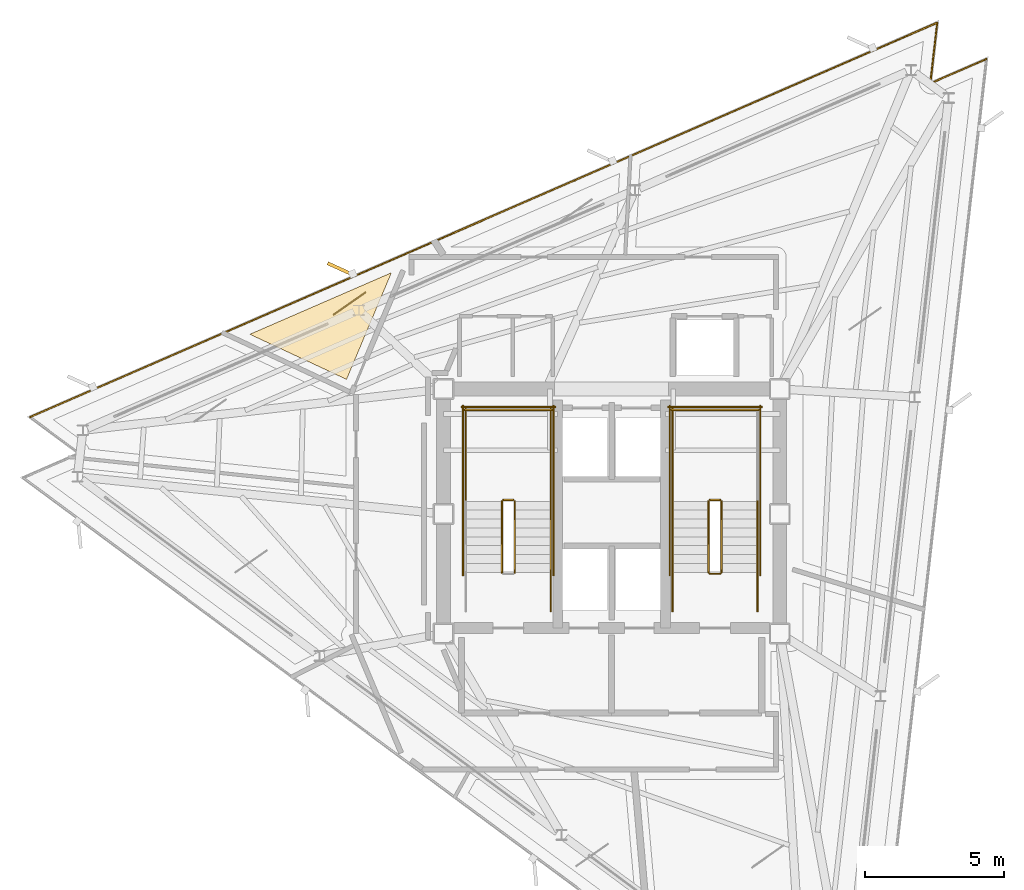
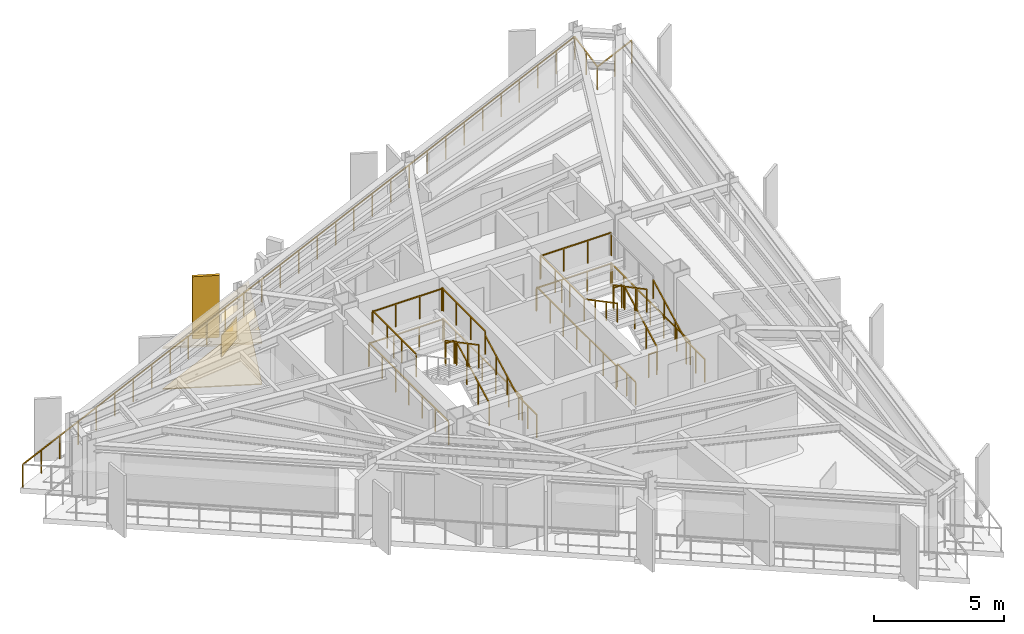
# One storey, part 9 of 10: 25 railings, 3 coverings, 1 shading device.
"""IFC4 building model written with IfcOpenShell, lengths in metres."""

from ifc_helpers import new_model, si_unit, direction, frame, origin, origin_2d, place, context, subcontext, project, spatial, polyline, rectangle, outline, extrude, material, layer, layer_set, type_object, element, save


model = new_model("IFC4")

# Units and contexts
model_context = context("Model", 3, precision=1e-05, world=origin(), true_north=direction((0.0, 1.0)))
body_context = subcontext(model_context, "Body", "Model", "MODEL_VIEW")
ifc_project = project(units=[si_unit("LENGTHUNIT", "METRE"), si_unit("AREAUNIT", "SQUARE_METRE"), si_unit("VOLUMEUNIT", "CUBIC_METRE"), si_unit("PLANEANGLEUNIT", "RADIAN"), si_unit("MASSUNIT", "GRAM", prefix="KILO")], contexts=[model_context])

# Site, building, storey
site_placement = place(None, origin())
site = spatial("IfcSite", under=ifc_project, at=site_placement, CompositionType="ELEMENT")
building_placement = place(site_placement, origin())
building = spatial("IfcBuilding", under=site, at=building_placement, Name="Rocaltana Carrier Exchange", CompositionType="ELEMENT")
storey_placement = place(building_placement, frame((0.0, 0.0, 224.0)))
storey = spatial("IfcBuildingStorey", under=building, at=storey_placement, Name="L71", CompositionType="ELEMENT", Elevation=224.0)

# Coverings
ifc_material_1 = material(Name="Honed Bogota Sandstone Tile", Category="masonry")
ifc_layer_1 = layer(ifc_material_1, 0.0400390625)
ifc_layer_set_1 = layer_set([ifc_layer_1], Name="Honed Bogota Sandstone Tile")
covering_type_1 = type_object("IfcCoveringType", Name="Honed Stone Lobby Flooring 40", PredefinedType="FLOORING", material=ifc_layer_set_1)
covering_1_placement = place(storey_placement, origin())
element("IfcCovering", 1, at=covering_1_placement, inside=storey, type_object=covering_type_1, Name="L71 Optical Switching Laboratory Finish Floor", PredefinedType="FLOORING", context=body_context, shape_type="SweptSolid", body=[
    extrude(outline(polyline([(-7.927490234375, 8.683837890625), (-9.541015625, 4.84619140625), (-13.021240234375, 6.468994140625), (-7.927490234375, 8.683837890625)])), origin(), (0.0, 0.0, 1.0), 0.0400390625),
])
ifc_material_2 = material(Name="Anodised Aluminium 6063-T6", Category="aluminium")
ifc_layer_2 = layer(ifc_material_2, 0.0849609375)
ifc_layer_set_2 = layer_set([ifc_layer_2], Name="Anodised Aluminium 6063-T6")
covering_type_2 = type_object("IfcCoveringType", Name="Linear Baffle Acoustic Ceiling 85", PredefinedType="CEILING", material=ifc_layer_set_2)
covering_2_placement = place(storey_placement, frame((0.0, 0.0, 1.903076171875)))
element("IfcCovering", 2, at=covering_2_placement, inside=storey, type_object=covering_type_2, Name="L71 Optical Switching Laboratory Acoustic Ceiling", PredefinedType="CEILING", context=body_context, shape_type="SweptSolid", body=[
    extrude(outline(polyline([(-7.927490234375, 8.683837890625), (-9.541015625, 4.84619140625), (-13.021240234375, 6.468994140625), (-7.927490234375, 8.683837890625)])), origin(), (0.0, 0.0, 1.0), 0.0849609375),
])

# Railings
ifc_material_3 = material(Name="Brushed Architectural Stainless Tube", Category="steel")
ifc_layer_3 = layer(ifc_material_3, 0.048095703125)
ifc_layer_set_3 = layer_set([ifc_layer_3], Name="Brushed Architectural Stainless Tube")
railing_type_1 = type_object("IfcRailingType", Name="Stair Wall Handrail 920", PredefinedType="HANDRAIL", material=ifc_layer_set_3)
for number, where, name in (
    (3, (-2.18994140625, -2.10009765625, 0.1689453125), "L71 ST-1 stair handrail 1"),
    (4, (5.25, -2.10009765625, 0.1689453125), "L71 ST-2 stair handrail 1"),
):
    element("IfcRailing", number, at=place(storey_placement, frame(where)), inside=storey, type_object=railing_type_1, Name=name, PredefinedType="HANDRAIL", context=body_context, shape_type="SweptSolid", body=[
        extrude(rectangle(XDim=0.048095703125, YDim=0.048095703125, at=origin_2d()), frame((0.0, 0.0, 0.8759765625), z_axis=(0.0, 0.884394423565, 0.466740295633), x_axis=(-1.0, 0.0, 0.0)), (0.0, 0.0, 1.0), 2.894775390625),
        extrude(rectangle(XDim=0.0419921875, YDim=0.0419921875, at=origin_2d()), origin(), (0.0, 0.0, 1.0), 0.851806640625),
        extrude(rectangle(XDim=0.0419921875, YDim=0.0419921875, at=origin_2d()), frame((0.0, 0.853271484375, 0.450439453125)), (0.0, 0.0, 1.0), 0.851806640625),
        extrude(rectangle(XDim=0.0419921875, YDim=0.0419921875, at=origin_2d()), frame((0.0, 1.706787109375, 0.900634765625)), (0.0, 0.0, 1.0), 0.851806640625),
        extrude(rectangle(XDim=0.0419921875, YDim=0.0419921875, at=origin_2d()), frame((0.0, 2.56005859375, 1.35107421875)), (0.0, 0.0, 1.0), 0.851806640625),
    ])
railing_1_placement = place(storey_placement, frame((2.18994140625, 0.4599609375, 1.68896484375)))
element("IfcRailing", 5, at=railing_1_placement, inside=storey, type_object=railing_type_1, Name="L71 ST-2 stair handrail 2", PredefinedType="HANDRAIL", context=body_context, shape_type="SweptSolid", body=[
    extrude(rectangle(XDim=0.048095703125, YDim=0.048095703125, at=origin_2d()), frame((0.0, 0.0, 0.8759765625), z_axis=(0.0, -0.884394423565, 0.466740295633), x_axis=(1.0, 0.0, 0.0)), (0.0, 0.0, 1.0), 2.894775390625),
    extrude(rectangle(XDim=0.0419921875, YDim=0.0419921875, at=origin_2d()), origin(), (0.0, 0.0, 1.0), 0.851806640625),
    extrude(rectangle(XDim=0.0419921875, YDim=0.0419921875, at=origin_2d()), frame((0.0, -0.853271484375, 0.450439453125)), (0.0, 0.0, 1.0), 0.851806640625),
    extrude(rectangle(XDim=0.0419921875, YDim=0.0419921875, at=origin_2d()), frame((0.0, -1.706787109375, 0.900634765625)), (0.0, 0.0, 1.0), 0.851806640625),
    extrude(rectangle(XDim=0.0419921875, YDim=0.0419921875, at=origin_2d()), frame((0.0, -2.56005859375, 1.35107421875)), (0.0, 0.0, 1.0), 0.851806640625),
])
ifc_material_4 = material(Name="Powder-Coated Aluminium 6063-T6", Category="aluminium")
ifc_layer_4 = layer(ifc_material_4, 0.048095703125)
ifc_layer_set_4 = layer_set([ifc_layer_4], Name="Powder-Coated Aluminium 6063-T6")
railing_type_2 = type_object("IfcRailingType", Name="Stair Well Guardrail 1100", PredefinedType="GUARDRAIL", material=ifc_layer_set_4)
railing_2_placement = place(storey_placement, frame((-3.489990234375, -2.10009765625, 0.1689453125)))
element("IfcRailing", 6, at=railing_2_placement, inside=storey, type_object=railing_type_2, Name="L71 ST-1 stair guard 1", PredefinedType="GUARDRAIL", context=body_context, shape_type="SweptSolid", body=[
    extrude(rectangle(XDim=0.048095703125, YDim=0.048095703125, at=origin_2d()), frame((0.0, 0.0, 1.076171875), z_axis=(0.0, 0.884394423565, 0.466740295633), x_axis=(-1.0, 0.0, 0.0)), (0.0, 0.0, 1.0), 2.894775390625),
    extrude(rectangle(XDim=0.0419921875, YDim=0.0419921875, at=origin_2d()), origin(), (0.0, 0.0, 1.0), 1.052001953125),
    extrude(rectangle(XDim=0.0419921875, YDim=0.0419921875, at=origin_2d()), frame((0.0, 0.853271484375, 0.450439453125)), (0.0, 0.0, 1.0), 1.052001953125),
    extrude(rectangle(XDim=0.0419921875, YDim=0.0419921875, at=origin_2d()), frame((0.0, 1.706787109375, 0.900634765625)), (0.0, 0.0, 1.0), 1.052001953125),
    extrude(rectangle(XDim=0.0419921875, YDim=0.0419921875, at=origin_2d()), frame((0.0, 2.56005859375, 1.35107421875)), (0.0, 0.0, 1.0), 1.052001953125),
])
railing_3_placement = place(storey_placement, frame((-3.5400390625, 0.510009765625, 1.52001953125)))
element("IfcRailing", 7, at=railing_3_placement, inside=storey, type_object=railing_type_2, Name="L71 ST-1 stair guard 2", PredefinedType="GUARDRAIL", context=body_context, shape_type="SweptSolid", body=[
    extrude(rectangle(XDim=0.048095703125, YDim=0.048095703125, at=origin_2d()), frame((0.0, 0.0, 1.076171875), z_axis=(-1.0, 0.0, 0.0), x_axis=(0.0, -1.0, 0.0)), (0.0, 0.0, 1.0), 0.35986328125),
    extrude(rectangle(XDim=0.0419921875, YDim=0.0419921875, at=origin_2d()), origin(), (0.0, 0.0, 1.0), 1.052001953125),
    extrude(rectangle(XDim=0.0419921875, YDim=0.0419921875, at=origin_2d()), frame((-0.35986328125, 0.0, 0.0)), (0.0, 0.0, 1.0), 1.052001953125),
])
for number, where, name in (
    (8, (-2.18994140625, 0.4599609375, 1.52001953125), "L71 ST-1 stair guard 3"),
    (9, (-5.25, 0.4599609375, 1.52001953125), "L71 ST-1 stair guard 4"),
):
    element("IfcRailing", number, at=place(storey_placement, frame(where)), inside=storey, type_object=railing_type_2, Name=name, PredefinedType="GUARDRAIL", context=body_context, shape_type="SweptSolid", body=[
        extrude(rectangle(XDim=0.048095703125, YDim=0.048095703125, at=origin_2d()), frame((0.0, 0.0, 1.076171875), z_axis=(0.0, 1.0, 0.0), x_axis=(-1.0, 0.0, 0.0)), (0.0, 0.0, 1.0), 3.340087890625),
        extrude(rectangle(XDim=0.0419921875, YDim=0.0419921875, at=origin_2d()), origin(), (0.0, 0.0, 1.0), 1.052001953125),
        extrude(rectangle(XDim=0.0419921875, YDim=0.0419921875, at=origin_2d()), frame((0.0, 1.11328125, 0.0)), (0.0, 0.0, 1.0), 1.052001953125),
        extrude(rectangle(XDim=0.0419921875, YDim=0.0419921875, at=origin_2d()), frame((0.0, 2.226806640625, 0.0)), (0.0, 0.0, 1.0), 1.052001953125),
        extrude(rectangle(XDim=0.0419921875, YDim=0.0419921875, at=origin_2d()), frame((0.0, 3.340087890625, 0.0)), (0.0, 0.0, 1.0), 1.052001953125),
    ])
railing_4_placement = place(storey_placement, frame((-2.139892578125, 3.75, 1.52001953125)))
element("IfcRailing", 10, at=railing_4_placement, inside=storey, type_object=railing_type_2, Name="L71 ST-1 stair guard 5", PredefinedType="GUARDRAIL", context=body_context, shape_type="SweptSolid", body=[
    extrude(rectangle(XDim=0.048095703125, YDim=0.048095703125, at=origin_2d()), frame((0.0, 0.0, 1.076171875), z_axis=(-1.0, 0.0, 0.0), x_axis=(0.0, -1.0, 0.0)), (0.0, 0.0, 1.0), 3.16015625),
    extrude(rectangle(XDim=0.0419921875, YDim=0.0419921875, at=origin_2d()), origin(), (0.0, 0.0, 1.0), 1.052001953125),
    extrude(rectangle(XDim=0.0419921875, YDim=0.0419921875, at=origin_2d()), frame((-1.053466796875, 0.0, 0.0)), (0.0, 0.0, 1.0), 1.052001953125),
    extrude(rectangle(XDim=0.0419921875, YDim=0.0419921875, at=origin_2d()), frame((-2.106689453125, 0.0, 0.0)), (0.0, 0.0, 1.0), 1.052001953125),
    extrude(rectangle(XDim=0.0419921875, YDim=0.0419921875, at=origin_2d()), frame((-3.16015625, 0.0, 0.0)), (0.0, 0.0, 1.0), 1.052001953125),
])
railing_5_placement = place(storey_placement, frame((-3.949951171875, 0.4599609375, 1.68896484375)))
element("IfcRailing", 11, at=railing_5_placement, inside=storey, type_object=railing_type_2, Name="L71 ST-1 stair guard 6", PredefinedType="GUARDRAIL", context=body_context, shape_type="SweptSolid", body=[
    extrude(rectangle(XDim=0.048095703125, YDim=0.048095703125, at=origin_2d()), frame((0.0, 0.0, 1.076171875), z_axis=(0.0, -0.884394423565, 0.466740295633), x_axis=(1.0, 0.0, 0.0)), (0.0, 0.0, 1.0), 2.894775390625),
    extrude(rectangle(XDim=0.0419921875, YDim=0.0419921875, at=origin_2d()), origin(), (0.0, 0.0, 1.0), 1.052001953125),
    extrude(rectangle(XDim=0.0419921875, YDim=0.0419921875, at=origin_2d()), frame((0.0, -0.853271484375, 0.450439453125)), (0.0, 0.0, 1.0), 1.052001953125),
    extrude(rectangle(XDim=0.0419921875, YDim=0.0419921875, at=origin_2d()), frame((0.0, -1.706787109375, 0.900634765625)), (0.0, 0.0, 1.0), 1.052001953125),
    extrude(rectangle(XDim=0.0419921875, YDim=0.0419921875, at=origin_2d()), frame((0.0, -2.56005859375, 1.35107421875)), (0.0, 0.0, 1.0), 1.052001953125),
])
railing_6_placement = place(storey_placement, frame((-2.18994140625, -3.5, 0.0)))
element("IfcRailing", 12, at=railing_6_placement, inside=storey, type_object=railing_type_2, Name="L71 ST-1 stair guard 8", PredefinedType="GUARDRAIL", context=body_context, shape_type="SweptSolid", body=[
    extrude(rectangle(XDim=0.048095703125, YDim=0.048095703125, at=origin_2d()), frame((0.0, 0.0, 1.076171875), z_axis=(0.0, 1.0, 0.0), x_axis=(-1.0, 0.0, 0.0)), (0.0, 0.0, 1.0), 1.39990234375),
    extrude(rectangle(XDim=0.0419921875, YDim=0.0419921875, at=origin_2d()), origin(), (0.0, 0.0, 1.0), 1.052001953125),
    extrude(rectangle(XDim=0.0419921875, YDim=0.0419921875, at=origin_2d()), frame((0.0, 0.699951171875, 0.0)), (0.0, 0.0, 1.0), 1.052001953125),
    extrude(rectangle(XDim=0.0419921875, YDim=0.0419921875, at=origin_2d()), frame((0.0, 1.39990234375, 0.0)), (0.0, 0.0, 1.0), 1.052001953125),
])
for number, where, name in (
    (13, (-2.090087890625, -2.199951171875, 0.0), "L71 ST-1 stair guard 10"),
    (14, (-5.35009765625, -2.199951171875, 0.0), "L71 ST-1 stair guard 11"),
):
    element("IfcRailing", number, at=place(storey_placement, frame(where)), inside=storey, type_object=railing_type_2, Name=name, PredefinedType="GUARDRAIL", context=body_context, shape_type="SweptSolid", body=[
        extrude(rectangle(XDim=0.048095703125, YDim=0.048095703125, at=origin_2d()), frame((0.0, 0.0, 1.076171875), z_axis=(0.0, 1.0, 0.0), x_axis=(-1.0, 0.0, 0.0)), (0.0, 0.0, 1.0), 6.099853515625),
        extrude(rectangle(XDim=0.0419921875, YDim=0.0419921875, at=origin_2d()), origin(), (0.0, 0.0, 1.0), 1.052001953125),
        extrude(rectangle(XDim=0.0419921875, YDim=0.0419921875, at=origin_2d()), frame((0.0, 1.0166015625, 0.0)), (0.0, 0.0, 1.0), 1.052001953125),
        extrude(rectangle(XDim=0.0419921875, YDim=0.0419921875, at=origin_2d()), frame((0.0, 2.033203125, 0.0)), (0.0, 0.0, 1.0), 1.052001953125),
        extrude(rectangle(XDim=0.0419921875, YDim=0.0419921875, at=origin_2d()), frame((0.0, 3.0498046875, 0.0)), (0.0, 0.0, 1.0), 1.052001953125),
        extrude(rectangle(XDim=0.0419921875, YDim=0.0419921875, at=origin_2d()), frame((0.0, 4.066650390625, 0.0)), (0.0, 0.0, 1.0), 1.052001953125),
        extrude(rectangle(XDim=0.0419921875, YDim=0.0419921875, at=origin_2d()), frame((0.0, 5.083251953125, 0.0)), (0.0, 0.0, 1.0), 1.052001953125),
        extrude(rectangle(XDim=0.0419921875, YDim=0.0419921875, at=origin_2d()), frame((0.0, 6.099853515625, 0.0)), (0.0, 0.0, 1.0), 1.052001953125),
    ])
railing_7_placement = place(storey_placement, frame((-2.0400390625, 3.85009765625, 0.0)))
element("IfcRailing", 15, at=railing_7_placement, inside=storey, type_object=railing_type_2, Name="L71 ST-1 stair guard 12", PredefinedType="GUARDRAIL", context=body_context, shape_type="SweptSolid", body=[
    extrude(rectangle(XDim=0.048095703125, YDim=0.048095703125, at=origin_2d()), frame((0.0, 0.0, 1.076171875), z_axis=(-1.0, 0.0, 0.0), x_axis=(0.0, -1.0, 0.0)), (0.0, 0.0, 1.0), 3.35986328125),
    extrude(rectangle(XDim=0.0419921875, YDim=0.0419921875, at=origin_2d()), origin(), (0.0, 0.0, 1.0), 1.052001953125),
    extrude(rectangle(XDim=0.0419921875, YDim=0.0419921875, at=origin_2d()), frame((-1.119873046875, 0.0, 0.0)), (0.0, 0.0, 1.0), 1.052001953125),
    extrude(rectangle(XDim=0.0419921875, YDim=0.0419921875, at=origin_2d()), frame((-2.239990234375, 0.0, 0.0)), (0.0, 0.0, 1.0), 1.052001953125),
    extrude(rectangle(XDim=0.0419921875, YDim=0.0419921875, at=origin_2d()), frame((-3.35986328125, 0.0, 0.0)), (0.0, 0.0, 1.0), 1.052001953125),
])
railing_8_placement = place(storey_placement, frame((3.949951171875, -2.10009765625, 0.1689453125)))
element("IfcRailing", 16, at=railing_8_placement, inside=storey, type_object=railing_type_2, Name="L71 ST-2 stair guard 1", PredefinedType="GUARDRAIL", context=body_context, shape_type="SweptSolid", body=[
    extrude(rectangle(XDim=0.048095703125, YDim=0.048095703125, at=origin_2d()), frame((0.0, 0.0, 1.076171875), z_axis=(0.0, 0.884394423565, 0.466740295633), x_axis=(-1.0, 0.0, 0.0)), (0.0, 0.0, 1.0), 2.894775390625),
    extrude(rectangle(XDim=0.0419921875, YDim=0.0419921875, at=origin_2d()), origin(), (0.0, 0.0, 1.0), 1.052001953125),
    extrude(rectangle(XDim=0.0419921875, YDim=0.0419921875, at=origin_2d()), frame((0.0, 0.853271484375, 0.450439453125)), (0.0, 0.0, 1.0), 1.052001953125),
    extrude(rectangle(XDim=0.0419921875, YDim=0.0419921875, at=origin_2d()), frame((0.0, 1.706787109375, 0.900634765625)), (0.0, 0.0, 1.0), 1.052001953125),
    extrude(rectangle(XDim=0.0419921875, YDim=0.0419921875, at=origin_2d()), frame((0.0, 2.56005859375, 1.35107421875)), (0.0, 0.0, 1.0), 1.052001953125),
])
railing_9_placement = place(storey_placement, frame((3.89990234375, 0.510009765625, 1.52001953125)))
element("IfcRailing", 17, at=railing_9_placement, inside=storey, type_object=railing_type_2, Name="L71 ST-2 stair guard 2", PredefinedType="GUARDRAIL", context=body_context, shape_type="SweptSolid", body=[
    extrude(rectangle(XDim=0.048095703125, YDim=0.048095703125, at=origin_2d()), frame((0.0, 0.0, 1.076171875), z_axis=(-1.0, 0.0, 0.0), x_axis=(0.0, -1.0, 0.0)), (0.0, 0.0, 1.0), 0.35986328125),
    extrude(rectangle(XDim=0.0419921875, YDim=0.0419921875, at=origin_2d()), origin(), (0.0, 0.0, 1.0), 1.052001953125),
    extrude(rectangle(XDim=0.0419921875, YDim=0.0419921875, at=origin_2d()), frame((-0.35986328125, 0.0, 0.0)), (0.0, 0.0, 1.0), 1.052001953125),
])
railing_10_placement = place(storey_placement, frame((2.18994140625, 0.4599609375, 1.52001953125)))
element("IfcRailing", 18, at=railing_10_placement, inside=storey, type_object=railing_type_2, Name="L71 ST-2 stair guard 4", PredefinedType="GUARDRAIL", context=body_context, shape_type="SweptSolid", body=[
    extrude(rectangle(XDim=0.048095703125, YDim=0.048095703125, at=origin_2d()), frame((0.0, 0.0, 1.076171875), z_axis=(0.0, 1.0, 0.0), x_axis=(-1.0, 0.0, 0.0)), (0.0, 0.0, 1.0), 3.340087890625),
    extrude(rectangle(XDim=0.0419921875, YDim=0.0419921875, at=origin_2d()), origin(), (0.0, 0.0, 1.0), 1.052001953125),
    extrude(rectangle(XDim=0.0419921875, YDim=0.0419921875, at=origin_2d()), frame((0.0, 1.11328125, 0.0)), (0.0, 0.0, 1.0), 1.052001953125),
    extrude(rectangle(XDim=0.0419921875, YDim=0.0419921875, at=origin_2d()), frame((0.0, 2.226806640625, 0.0)), (0.0, 0.0, 1.0), 1.052001953125),
    extrude(rectangle(XDim=0.0419921875, YDim=0.0419921875, at=origin_2d()), frame((0.0, 3.340087890625, 0.0)), (0.0, 0.0, 1.0), 1.052001953125),
])
railing_11_placement = place(storey_placement, frame((5.300048828125, 3.75, 1.52001953125)))
element("IfcRailing", 19, at=railing_11_placement, inside=storey, type_object=railing_type_2, Name="L71 ST-2 stair guard 5", PredefinedType="GUARDRAIL", context=body_context, shape_type="SweptSolid", body=[
    extrude(rectangle(XDim=0.048095703125, YDim=0.048095703125, at=origin_2d()), frame((0.0, 0.0, 1.076171875), z_axis=(-1.0, 0.0, 0.0), x_axis=(0.0, -1.0, 0.0)), (0.0, 0.0, 1.0), 3.16015625),
    extrude(rectangle(XDim=0.0419921875, YDim=0.0419921875, at=origin_2d()), origin(), (0.0, 0.0, 1.0), 1.052001953125),
    extrude(rectangle(XDim=0.0419921875, YDim=0.0419921875, at=origin_2d()), frame((-1.053466796875, 0.0, 0.0)), (0.0, 0.0, 1.0), 1.052001953125),
    extrude(rectangle(XDim=0.0419921875, YDim=0.0419921875, at=origin_2d()), frame((-2.106689453125, 0.0, 0.0)), (0.0, 0.0, 1.0), 1.052001953125),
    extrude(rectangle(XDim=0.0419921875, YDim=0.0419921875, at=origin_2d()), frame((-3.16015625, 0.0, 0.0)), (0.0, 0.0, 1.0), 1.052001953125),
])
railing_12_placement = place(storey_placement, frame((3.489990234375, 0.4599609375, 1.68896484375)))
element("IfcRailing", 20, at=railing_12_placement, inside=storey, type_object=railing_type_2, Name="L71 ST-2 stair guard 6", PredefinedType="GUARDRAIL", context=body_context, shape_type="SweptSolid", body=[
    extrude(rectangle(XDim=0.048095703125, YDim=0.048095703125, at=origin_2d()), frame((0.0, 0.0, 1.076171875), z_axis=(0.0, -0.884394423565, 0.466740295633), x_axis=(1.0, 0.0, 0.0)), (0.0, 0.0, 1.0), 2.894775390625),
    extrude(rectangle(XDim=0.0419921875, YDim=0.0419921875, at=origin_2d()), origin(), (0.0, 0.0, 1.0), 1.052001953125),
    extrude(rectangle(XDim=0.0419921875, YDim=0.0419921875, at=origin_2d()), frame((0.0, -0.853271484375, 0.450439453125)), (0.0, 0.0, 1.0), 1.052001953125),
    extrude(rectangle(XDim=0.0419921875, YDim=0.0419921875, at=origin_2d()), frame((0.0, -1.706787109375, 0.900634765625)), (0.0, 0.0, 1.0), 1.052001953125),
    extrude(rectangle(XDim=0.0419921875, YDim=0.0419921875, at=origin_2d()), frame((0.0, -2.56005859375, 1.35107421875)), (0.0, 0.0, 1.0), 1.052001953125),
])
railing_13_placement = place(storey_placement, frame((3.89990234375, -2.14990234375, 0.0)))
element("IfcRailing", 21, at=railing_13_placement, inside=storey, type_object=railing_type_2, Name="L71 ST-2 stair guard 7", PredefinedType="GUARDRAIL", context=body_context, shape_type="SweptSolid", body=[
    extrude(rectangle(XDim=0.048095703125, YDim=0.048095703125, at=origin_2d()), frame((0.0, 0.0, 1.076171875), z_axis=(-1.0, 0.0, 0.0), x_axis=(0.0, -1.0, 0.0)), (0.0, 0.0, 1.0), 0.35986328125),
    extrude(rectangle(XDim=0.0419921875, YDim=0.0419921875, at=origin_2d()), origin(), (0.0, 0.0, 1.0), 1.052001953125),
    extrude(rectangle(XDim=0.0419921875, YDim=0.0419921875, at=origin_2d()), frame((-0.35986328125, 0.0, 0.0)), (0.0, 0.0, 1.0), 1.052001953125),
])
for number, where, name in (
    (22, (5.25, -3.5, 0.0), "L71 ST-2 stair guard 8"),
    (23, (2.18994140625, -3.5, 0.0), "L71 ST-2 stair guard 9"),
):
    element("IfcRailing", number, at=place(storey_placement, frame(where)), inside=storey, type_object=railing_type_2, Name=name, PredefinedType="GUARDRAIL", context=body_context, shape_type="SweptSolid", body=[
        extrude(rectangle(XDim=0.048095703125, YDim=0.048095703125, at=origin_2d()), frame((0.0, 0.0, 1.076171875), z_axis=(0.0, 1.0, 0.0), x_axis=(-1.0, 0.0, 0.0)), (0.0, 0.0, 1.0), 1.39990234375),
        extrude(rectangle(XDim=0.0419921875, YDim=0.0419921875, at=origin_2d()), origin(), (0.0, 0.0, 1.0), 1.052001953125),
        extrude(rectangle(XDim=0.0419921875, YDim=0.0419921875, at=origin_2d()), frame((0.0, 0.699951171875, 0.0)), (0.0, 0.0, 1.0), 1.052001953125),
        extrude(rectangle(XDim=0.0419921875, YDim=0.0419921875, at=origin_2d()), frame((0.0, 1.39990234375, 0.0)), (0.0, 0.0, 1.0), 1.052001953125),
    ])
for number, where, name in (
    (24, (5.35009765625, -2.199951171875, 0.0), "L71 ST-2 stair guard 10"),
    (25, (2.090087890625, -2.199951171875, 0.0), "L71 ST-2 stair guard 11"),
):
    element("IfcRailing", number, at=place(storey_placement, frame(where)), inside=storey, type_object=railing_type_2, Name=name, PredefinedType="GUARDRAIL", context=body_context, shape_type="SweptSolid", body=[
        extrude(rectangle(XDim=0.048095703125, YDim=0.048095703125, at=origin_2d()), frame((0.0, 0.0, 1.076171875), z_axis=(0.0, 1.0, 0.0), x_axis=(-1.0, 0.0, 0.0)), (0.0, 0.0, 1.0), 6.099853515625),
        extrude(rectangle(XDim=0.0419921875, YDim=0.0419921875, at=origin_2d()), origin(), (0.0, 0.0, 1.0), 1.052001953125),
        extrude(rectangle(XDim=0.0419921875, YDim=0.0419921875, at=origin_2d()), frame((0.0, 1.0166015625, 0.0)), (0.0, 0.0, 1.0), 1.052001953125),
        extrude(rectangle(XDim=0.0419921875, YDim=0.0419921875, at=origin_2d()), frame((0.0, 2.033203125, 0.0)), (0.0, 0.0, 1.0), 1.052001953125),
        extrude(rectangle(XDim=0.0419921875, YDim=0.0419921875, at=origin_2d()), frame((0.0, 3.0498046875, 0.0)), (0.0, 0.0, 1.0), 1.052001953125),
        extrude(rectangle(XDim=0.0419921875, YDim=0.0419921875, at=origin_2d()), frame((0.0, 4.066650390625, 0.0)), (0.0, 0.0, 1.0), 1.052001953125),
        extrude(rectangle(XDim=0.0419921875, YDim=0.0419921875, at=origin_2d()), frame((0.0, 5.083251953125, 0.0)), (0.0, 0.0, 1.0), 1.052001953125),
        extrude(rectangle(XDim=0.0419921875, YDim=0.0419921875, at=origin_2d()), frame((0.0, 6.099853515625, 0.0)), (0.0, 0.0, 1.0), 1.052001953125),
    ])
railing_14_placement = place(storey_placement, frame((5.39990234375, 3.85009765625, 0.0)))
element("IfcRailing", 26, at=railing_14_placement, inside=storey, type_object=railing_type_2, Name="L71 ST-2 stair guard 12", PredefinedType="GUARDRAIL", context=body_context, shape_type="SweptSolid", body=[
    extrude(rectangle(XDim=0.048095703125, YDim=0.048095703125, at=origin_2d()), frame((0.0, 0.0, 1.076171875), z_axis=(-1.0, 0.0, 0.0), x_axis=(0.0, -1.0, 0.0)), (0.0, 0.0, 1.0), 3.35986328125),
    extrude(rectangle(XDim=0.0419921875, YDim=0.0419921875, at=origin_2d()), origin(), (0.0, 0.0, 1.0), 1.052001953125),
    extrude(rectangle(XDim=0.0419921875, YDim=0.0419921875, at=origin_2d()), frame((-1.119873046875, 0.0, 0.0)), (0.0, 0.0, 1.0), 1.052001953125),
    extrude(rectangle(XDim=0.0419921875, YDim=0.0419921875, at=origin_2d()), frame((-2.239990234375, 0.0, 0.0)), (0.0, 0.0, 1.0), 1.052001953125),
    extrude(rectangle(XDim=0.0419921875, YDim=0.0419921875, at=origin_2d()), frame((-3.35986328125, 0.0, 0.0)), (0.0, 0.0, 1.0), 1.052001953125),
])

# Covering
ifc_material_5 = material(Name="Honed Piedra Muneca Sandstone", Category="masonry")
ifc_layer_5 = layer(ifc_material_5, 0.034912109375)
ifc_layer_set_5 = layer_set([ifc_layer_5], Name="Honed Piedra Muneca Sandstone")
covering_type_3 = type_object("IfcCoveringType", Name="Stone Facade Cladding 35", PredefinedType="CLADDING", material=ifc_layer_set_5)
covering_3_placement = place(storey_placement, frame((-9.43359375, 7.576416015625, 0.0), z_axis=(0.0, 0.0, 1.0), x_axis=(0.819152044289, 0.573576436351, 0.0)))
element("IfcCovering", 27, at=covering_3_placement, inside=storey, type_object=covering_type_3, Name="L71 Stone Facade Cladding Panel 6", PredefinedType="CLADDING", context=body_context, shape_type="SweptSolid", body=[
    extrude(rectangle(XDim=1.39990234375, YDim=0.034912109375, at=origin_2d()), origin(), (0.0, 0.0, 1.0), 1.050048828125),
])

# Shading device
ifc_material_6 = material(Name="Honed Bogota Sandstone & Concrete C45/55", Category="masonry")
ifc_layer_6 = layer(ifc_material_6, 0.1201171875)
ifc_layer_set_6 = layer_set([ifc_layer_6], Name="Honed Bogota Sandstone & Concrete C45/55")
shading_device_type = type_object("IfcShadingDeviceType", Name="Upper Sandstone Shading Fin 1050x120", PredefinedType="USERDEFINED", material=ifc_layer_set_6)
shading_device_placement = place(storey_placement, frame((-9.74560546875, 8.809814453125, -0.119873046875), z_axis=(0.0, 0.0, 1.0), x_axis=(-0.909961270877, 0.414693242656, 0.0)))
element("IfcShadingDevice", 28, at=shading_device_placement, inside=storey, type_object=shading_device_type, Name="L71 Sandstone Vertical Fin F2-03", ObjectType="FIN", PredefinedType="USERDEFINED", context=body_context, shape_type="SweptSolid", body=[
    extrude(rectangle(XDim=1.050048828125, YDim=0.1201171875, at=origin_2d()), origin(), (0.0, 0.0, 1.0), 2.91796875),
])

# Railing
ifc_material_7 = material(Name="Powder-Coated Aluminium 6063-T6", Category="aluminium")
ifc_layer_7 = layer(ifc_material_7, 0.06005859375)
ifc_layer_set_7 = layer_set([ifc_layer_7], Name="Powder-Coated Aluminium 6063-T6")
railing_type_3 = type_object("IfcRailingType", Name="Wind-Floor & Terrace Perimeter Guardrail 1100", PredefinedType="GUARDRAIL", material=ifc_layer_set_7)
railing_15_placement = place(storey_placement, frame((-20.923583984375, 3.490966796875, 0.0)))
element("IfcRailing", 29, at=railing_15_placement, inside=storey, type_object=railing_type_3, Name="L71 Perimeter Balcony Guardrail 2", PredefinedType="GUARDRAIL", context=body_context, shape_type="SweptSolid", body=[
    extrude(rectangle(XDim=0.048095703125, YDim=0.048095703125, at=origin_2d()), frame((0.0, 0.0, 1.076171875), z_axis=(0.917059586912, 0.398750190034, 0.0), x_axis=(-0.398750190034, 0.917059586912, 0.0)), (0.0, 0.0, 1.0), 35.59228515625),
    extrude(rectangle(XDim=0.048095703125, YDim=0.048095703125, at=origin_2d()), frame((32.64013671875, 14.1923828125, 1.076171875), z_axis=(-0.113196037832, -0.993572673245, 0.0), x_axis=(0.993572673245, -0.113196037832, 0.0)), (0.0, 0.0, 1.0), 2.199951171875),
    extrude(rectangle(XDim=0.048095703125, YDim=0.048095703125, at=origin_2d()), frame((32.39111328125, 12.006591796875, 1.076171875), z_axis=(0.917071820503, 0.398722053614, 0.0), x_axis=(-0.398722053614, 0.917071820503, 0.0)), (0.0, 0.0, 1.0), 2.199951171875),
    extrude(rectangle(XDim=0.0419921875, YDim=0.0419921875, at=origin_2d()), origin(), (0.0, 0.0, 1.0), 1.052001953125),
    extrude(rectangle(XDim=0.0419921875, YDim=0.0419921875, at=origin_2d()), frame((1.087890625, 0.47314453125, 0.0)), (0.0, 0.0, 1.0), 1.052001953125),
    extrude(rectangle(XDim=0.0419921875, YDim=0.0419921875, at=origin_2d()), frame((2.176025390625, 0.946044921875, 0.0)), (0.0, 0.0, 1.0), 1.052001953125),
    extrude(rectangle(XDim=0.0419921875, YDim=0.0419921875, at=origin_2d()), frame((3.263916015625, 1.419189453125, 0.0)), (0.0, 0.0, 1.0), 1.052001953125),
    extrude(rectangle(XDim=0.0419921875, YDim=0.0419921875, at=origin_2d()), frame((4.35205078125, 1.892333984375, 0.0)), (0.0, 0.0, 1.0), 1.052001953125),
    extrude(rectangle(XDim=0.0419921875, YDim=0.0419921875, at=origin_2d()), frame((5.43994140625, 2.365478515625, 0.0)), (0.0, 0.0, 1.0), 1.052001953125),
    extrude(rectangle(XDim=0.0419921875, YDim=0.0419921875, at=origin_2d()), frame((6.528076171875, 2.83837890625, 0.0)), (0.0, 0.0, 1.0), 1.052001953125),
    extrude(rectangle(XDim=0.0419921875, YDim=0.0419921875, at=origin_2d()), frame((7.615966796875, 3.3115234375, 0.0)), (0.0, 0.0, 1.0), 1.052001953125),
    extrude(rectangle(XDim=0.0419921875, YDim=0.0419921875, at=origin_2d()), frame((8.7041015625, 3.78466796875, 0.0)), (0.0, 0.0, 1.0), 1.052001953125),
    extrude(rectangle(XDim=0.0419921875, YDim=0.0419921875, at=origin_2d()), frame((9.7919921875, 4.2578125, 0.0)), (0.0, 0.0, 1.0), 1.052001953125),
    extrude(rectangle(XDim=0.0419921875, YDim=0.0419921875, at=origin_2d()), frame((10.880126953125, 4.730712890625, 0.0)), (0.0, 0.0, 1.0), 1.052001953125),
    extrude(rectangle(XDim=0.0419921875, YDim=0.0419921875, at=origin_2d()), frame((11.968017578125, 5.203857421875, 0.0)), (0.0, 0.0, 1.0), 1.052001953125),
    extrude(rectangle(XDim=0.0419921875, YDim=0.0419921875, at=origin_2d()), frame((13.05615234375, 5.677001953125, 0.0)), (0.0, 0.0, 1.0), 1.052001953125),
    extrude(rectangle(XDim=0.0419921875, YDim=0.0419921875, at=origin_2d()), frame((14.14404296875, 6.150146484375, 0.0)), (0.0, 0.0, 1.0), 1.052001953125),
    extrude(rectangle(XDim=0.0419921875, YDim=0.0419921875, at=origin_2d()), frame((15.232177734375, 6.623046875, 0.0)), (0.0, 0.0, 1.0), 1.052001953125),
    extrude(rectangle(XDim=0.0419921875, YDim=0.0419921875, at=origin_2d()), frame((16.320068359375, 7.09619140625, 0.0)), (0.0, 0.0, 1.0), 1.052001953125),
    extrude(rectangle(XDim=0.0419921875, YDim=0.0419921875, at=origin_2d()), frame((17.407958984375, 7.5693359375, 0.0)), (0.0, 0.0, 1.0), 1.052001953125),
    extrude(rectangle(XDim=0.0419921875, YDim=0.0419921875, at=origin_2d()), frame((18.49609375, 8.042236328125, 0.0)), (0.0, 0.0, 1.0), 1.052001953125),
    extrude(rectangle(XDim=0.0419921875, YDim=0.0419921875, at=origin_2d()), frame((19.583984375, 8.515380859375, 0.0)), (0.0, 0.0, 1.0), 1.052001953125),
    extrude(rectangle(XDim=0.0419921875, YDim=0.0419921875, at=origin_2d()), frame((20.672119140625, 8.988525390625, 0.0)), (0.0, 0.0, 1.0), 1.052001953125),
    extrude(rectangle(XDim=0.0419921875, YDim=0.0419921875, at=origin_2d()), frame((21.760009765625, 9.461669921875, 0.0)), (0.0, 0.0, 1.0), 1.052001953125),
    extrude(rectangle(XDim=0.0419921875, YDim=0.0419921875, at=origin_2d()), frame((22.84814453125, 9.9345703125, 0.0)), (0.0, 0.0, 1.0), 1.052001953125),
    extrude(rectangle(XDim=0.0419921875, YDim=0.0419921875, at=origin_2d()), frame((23.93603515625, 10.40771484375, 0.0)), (0.0, 0.0, 1.0), 1.052001953125),
    extrude(rectangle(XDim=0.0419921875, YDim=0.0419921875, at=origin_2d()), frame((25.024169921875, 10.880859375, 0.0)), (0.0, 0.0, 1.0), 1.052001953125),
    extrude(rectangle(XDim=0.0419921875, YDim=0.0419921875, at=origin_2d()), frame((26.112060546875, 11.35400390625, 0.0)), (0.0, 0.0, 1.0), 1.052001953125),
    extrude(rectangle(XDim=0.0419921875, YDim=0.0419921875, at=origin_2d()), frame((27.2001953125, 11.826904296875, 0.0)), (0.0, 0.0, 1.0), 1.052001953125),
    extrude(rectangle(XDim=0.0419921875, YDim=0.0419921875, at=origin_2d()), frame((28.2880859375, 12.300048828125, 0.0)), (0.0, 0.0, 1.0), 1.052001953125),
    extrude(rectangle(XDim=0.0419921875, YDim=0.0419921875, at=origin_2d()), frame((29.376220703125, 12.773193359375, 0.0)), (0.0, 0.0, 1.0), 1.052001953125),
    extrude(rectangle(XDim=0.0419921875, YDim=0.0419921875, at=origin_2d()), frame((30.464111328125, 13.246337890625, 0.0)), (0.0, 0.0, 1.0), 1.052001953125),
    extrude(rectangle(XDim=0.0419921875, YDim=0.0419921875, at=origin_2d()), frame((31.55224609375, 13.71923828125, 0.0)), (0.0, 0.0, 1.0), 1.052001953125),
    extrude(rectangle(XDim=0.0419921875, YDim=0.0419921875, at=origin_2d()), frame((32.64013671875, 14.1923828125, 0.0)), (0.0, 0.0, 1.0), 1.052001953125),
    extrude(rectangle(XDim=0.0419921875, YDim=0.0419921875, at=origin_2d()), frame((32.515625, 13.099609375, 0.0)), (0.0, 0.0, 1.0), 1.052001953125),
    extrude(rectangle(XDim=0.0419921875, YDim=0.0419921875, at=origin_2d()), frame((32.39111328125, 12.006591796875, 0.0)), (0.0, 0.0, 1.0), 1.052001953125),
    extrude(rectangle(XDim=0.0419921875, YDim=0.0419921875, at=origin_2d()), frame((33.39990234375, 12.4453125, 0.0)), (0.0, 0.0, 1.0), 1.052001953125),
    extrude(rectangle(XDim=0.0419921875, YDim=0.0419921875, at=origin_2d()), frame((34.40869140625, 12.8837890625, 0.0)), (0.0, 0.0, 1.0), 1.052001953125),
])

save(model, "model.ifc")
